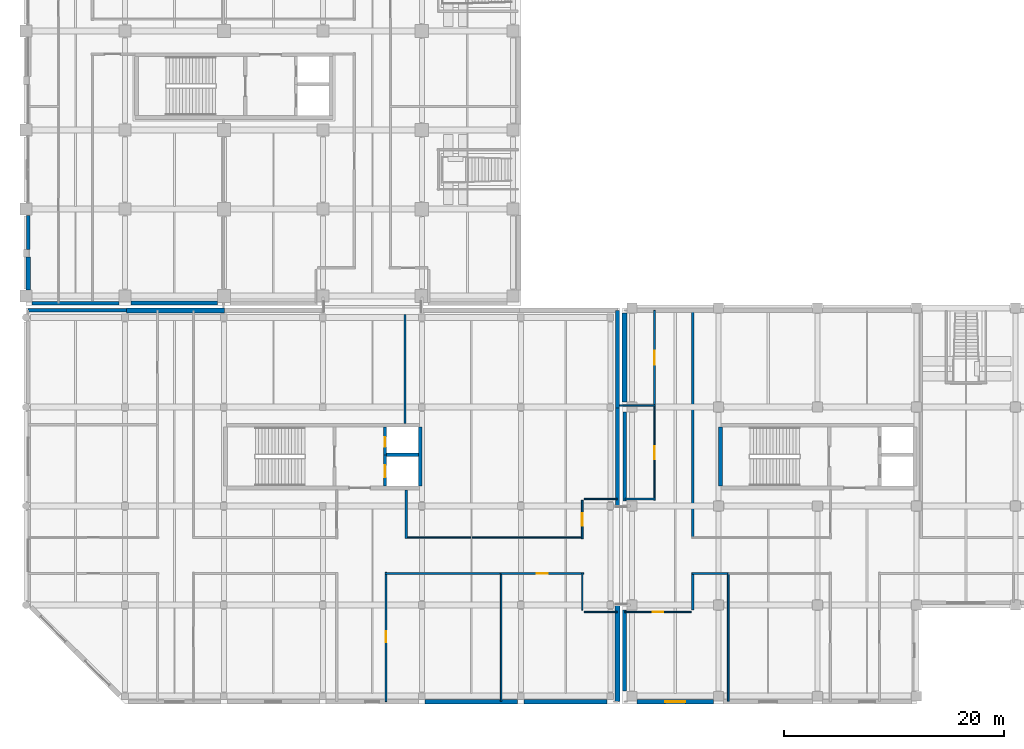
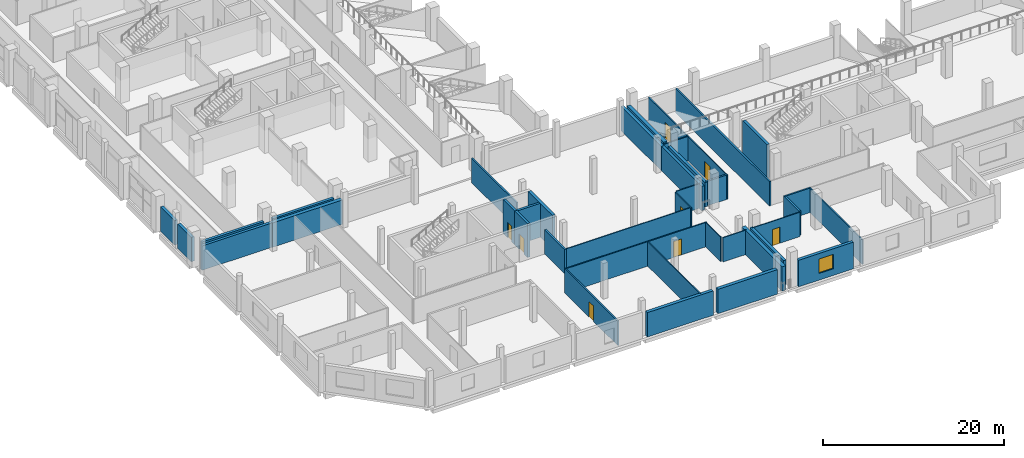
# One storey, part 52 of 100: 40 walls, 8 doors, 1 window, 9 openings.
"""IFC4 building model written with IfcOpenShell, lengths in metres."""

from ifc_helpers import new_model, si_unit, direction, frame, frame_2d, origin, place, context, subcontext, project, spatial, rectangle, extrude, material, layer, layer_set, type_object, element, fill, save


model = new_model("IFC4")

# Units and contexts
model_context = context("Model", 3, precision=1e-05, world=origin(), true_north=direction((0.0, 1.0)))
body_context = subcontext(model_context, "Body", "Model", "MODEL_VIEW")
ifc_project = project(units=[si_unit("LENGTHUNIT", "METRE"), si_unit("AREAUNIT", "SQUARE_METRE"), si_unit("VOLUMEUNIT", "CUBIC_METRE"), si_unit("PLANEANGLEUNIT", "RADIAN"), si_unit("MASSUNIT", "GRAM", prefix="KILO"), si_unit("THERMODYNAMICTEMPERATUREUNIT", "KELVIN"), si_unit("POWERUNIT", "WATT")], contexts=[model_context])

# Site, building, storey
site_placement = place(None, origin())
site = spatial("IfcSite", under=ifc_project, at=site_placement, CompositionType="ELEMENT")
building_placement = place(site_placement, origin())
building = spatial("IfcBuilding", under=site, at=building_placement, Name="Sindhuravela Promenade Stadium", CompositionType="ELEMENT")
storey_placement = place(building_placement, frame((0.0, 0.0, 4.800048828125)))
storey = spatial("IfcBuildingStorey", under=building, at=storey_placement, Name="L01", CompositionType="ELEMENT", Elevation=4.800048828125)

# Walls
ifc_material_1 = material(Name="Terracotta clay brick masonry (15 MPa)", Category="masonry")
ifc_layer_1 = layer(ifc_material_1, 0.340087890625)
ifc_layer_set_1 = layer_set([ifc_layer_1], Name="Terracotta clay brick masonry (15 MPa)")
wall_type_1 = type_object("IfcWallType", Name="EX-WL-BRK340", PredefinedType="SOLIDWALL", material=ifc_layer_set_1)
wall_1_placement = place(storey_placement, frame((8.445068359375, 36.449951171875, 0.0), z_axis=(0.0, 0.0, 1.0), x_axis=(-1.0, 0.0, 0.0)))
element("IfcWall", 1, at=wall_1_placement, inside=storey, type_object=wall_type_1, Name="Exterior masonry wall EW06 WEST L01", PredefinedType="SOLIDWALL", context=body_context, shape_type="SweptSolid", body=[
    extrude(rectangle(XDim=7.89013671875, YDim=0.340087890625, at=frame_2d((3.945068359375, 0.0))), origin(), (0.0, 0.0, 1.0), 3.280029296875),
])
wall_2_placement = place(storey_placement, frame((54.449951171875, 18.455078125, 0.0), z_axis=(0.0, 0.0, 1.0), x_axis=(0.0, 1.0, 0.0)))
element("IfcWall", 2, at=wall_2_placement, inside=storey, type_object=wall_type_1, Name="Exterior masonry wall EW06 SOUTH L01", PredefinedType="SOLIDWALL", context=body_context, shape_type="SweptSolid", body=[
    extrude(rectangle(XDim=8.08984375, YDim=0.340087890625, at=frame_2d((4.044921875, 0.0))), origin(), (0.0, 0.0, 1.0), 3.280029296875),
])
wall_3_placement = place(storey_placement, frame((0.199951171875, 35.800048828125, 0.0), z_axis=(0.0, 0.0, 1.0), x_axis=(1.0, 0.0, 0.0)))
element("IfcWall", 3, at=wall_3_placement, inside=storey, type_object=wall_type_1, Name="Exterior masonry wall EW06 Pavilion SW L01", PredefinedType="SOLIDWALL", context=body_context, shape_type="SweptSolid", body=[
    extrude(rectangle(XDim=8.933349609375, YDim=0.340087890625, at=frame_2d((4.466796875, 0.0))), origin(), (0.0, 0.0, 1.0), 3.280029296875),
])
wall_4_placement = place(storey_placement, frame((53.800048828125, 26.89990234375, 0.0), z_axis=(0.0, 0.0, 1.0), x_axis=(0.0, -1.0, 0.0)))
element("IfcWall", 4, at=wall_4_placement, inside=storey, type_object=wall_type_1, Name="Exterior masonry wall EW06 Pavilion SW L01", PredefinedType="SOLIDWALL", context=body_context, shape_type="SweptSolid", body=[
    extrude(rectangle(XDim=8.89990234375, YDim=0.340087890625, at=frame_2d((4.449951171875, 0.0))), origin(), (0.0, 0.0, 1.0), 3.280029296875),
])
ifc_layer_2 = layer(ifc_material_1, 0.360107421875)
ifc_layer_set_2 = layer_set([ifc_layer_2], Name="Terracotta clay brick masonry (15 MPa)")
wall_type_2 = type_object("IfcWallType", Name="EX-WL-BRK360", PredefinedType="SOLIDWALL", material=ifc_layer_set_2)
wall_5_placement = place(storey_placement, frame((0.199951171875, 41.35498046875, 0.0), z_axis=(0.0, 0.0, 1.0), x_axis=(0.0, 1.0, 0.0)))
element("IfcWall", 5, at=wall_5_placement, inside=storey, type_object=wall_type_2, Name="Exterior masonry wall EW05 WEST L01", PredefinedType="SOLIDWALL", context=body_context, shape_type="SweptSolid", body=[
    extrude(rectangle(XDim=3.090087890625, YDim=0.360107421875, at=frame_2d((1.544921875, 0.0))), origin(), (0.0, 0.0, 1.0), 3.280029296875),
])
wall_6_placement = place(storey_placement, frame((17.39501953125, 36.449951171875, 0.0), z_axis=(0.0, 0.0, 1.0), x_axis=(-1.0, 0.0, 0.0)))
element("IfcWall", 6, at=wall_6_placement, inside=storey, type_object=wall_type_2, Name="Exterior masonry wall EW05 WEST L01", PredefinedType="SOLIDWALL", context=body_context, shape_type="SweptSolid", body=[
    extrude(rectangle(XDim=7.840087890625, YDim=0.360107421875, at=frame_2d((3.919921875, 0.0))), origin(), (0.0, 0.0, 1.0), 3.280029296875),
])
wall_7_placement = place(storey_placement, frame((54.449951171875, 1.155029296875, 0.0), z_axis=(0.0, 0.0, 1.0), x_axis=(0.0, 1.0, 0.0)))
element("IfcWall", 7, at=wall_7_placement, inside=storey, type_object=wall_type_2, Name="Exterior masonry wall EW05 SOUTH L01", PredefinedType="SOLIDWALL", context=body_context, shape_type="SweptSolid", body=[
    extrude(rectangle(XDim=7.389892578125, YDim=0.360107421875, at=frame_2d((3.69482421875, 0.0))), origin(), (0.0, 0.0, 1.0), 3.280029296875),
])
wall_8_placement = place(storey_placement, frame((53.800048828125, 35.800048828125, 0.0), z_axis=(0.0, 0.0, 1.0), x_axis=(0.0, -1.0, 0.0)))
element("IfcWall", 8, at=wall_8_placement, inside=storey, type_object=wall_type_2, Name="Exterior masonry wall EW05 Pavilion SW L01", PredefinedType="SOLIDWALL", context=body_context, shape_type="SweptSolid", body=[
    extrude(rectangle(XDim=8.900146484375, YDim=0.360107421875, at=frame_2d((4.4501953125, 0.0))), origin(), (0.0, 0.0, 1.0), 3.280029296875),
])
ifc_layer_3 = layer(ifc_material_1, 0.3798828125)
ifc_layer_set_3 = layer_set([ifc_layer_3], Name="Terracotta clay brick masonry (15 MPa)")
wall_type_3 = type_object("IfcWallType", Name="EX-WL-BRK380", PredefinedType="SOLIDWALL", material=ifc_layer_set_3)
wall_9_placement = place(storey_placement, frame((0.199951171875, 37.655029296875, 0.0), z_axis=(0.0, 0.0, 1.0), x_axis=(0.0, 1.0, 0.0)))
element("IfcWall", 9, at=wall_9_placement, inside=storey, type_object=wall_type_3, Name="Exterior masonry wall EW04 WEST L01", PredefinedType="SOLIDWALL", context=body_context, shape_type="SweptSolid", body=[
    extrude(rectangle(XDim=2.989990234375, YDim=0.3798828125, at=frame_2d((1.4951171875, 0.0))), origin(), (0.0, 0.0, 1.0), 3.280029296875),
])

# Wall, opening, window
wall_10_placement = place(storey_placement, frame((62.544921875, 0.199951171875, 0.0), z_axis=(0.0, 0.0, 1.0), x_axis=(-1.0, 0.0, 0.0)))
wall_10 = element("IfcWall", 10, at=wall_10_placement, inside=storey, type_object=wall_type_3, Name="Exterior masonry wall EW04 SOUTH L01", PredefinedType="SOLIDWALL", context=body_context, shape_type="SweptSolid", body=[
    extrude(rectangle(XDim=6.989990234375, YDim=0.3798828125, at=frame_2d((3.4951171875, 0.0))), origin(), (0.0, 0.0, 1.0), 3.579833984375),
])
opening_1_placement = place(wall_10_placement, frame((2.570068359375, 0.0, 0.89990234375)))
opening_1 = element("IfcOpeningElement", 11, at=opening_1_placement, cuts=wall_10, Name="Opening W28", PredefinedType="OPENING", context=body_context, shape_type="SweptSolid", body=[
    extrude(rectangle(XDim=1.85009765625, YDim=1.949951171875, at=frame_2d((0.925048828125, 0.97509765625))), frame((0.0, 0.199951171875, 0.0), z_axis=(0.0, -1.0, 0.0), x_axis=(1.0, 0.0, 0.0)), (0.0, 0.0, 1.0), 0.39990234375),
])
ifc_material_2 = material(Name="Tempered laminated low-E glass", Category="glass")
window_type = type_object("IfcWindowType", Name="WN-FAC-1850x1950", PartitioningType="DOUBLE_PANEL_VERTICAL", PredefinedType="WINDOW", material=ifc_material_2)
window_placement = place(opening_1_placement, origin())
window = element("IfcWindow", 12, at=window_placement, inside=storey, type_object=window_type, Name="Window W28 SOUTH L01", OverallHeight=1.949951171875, OverallWidth=1.85009765625, PartitioningType="DOUBLE_PANEL_VERTICAL", PredefinedType="WINDOW", context=body_context, shape_type="SweptSolid", body=[
    extrude(rectangle(XDim=1.85009765625, YDim=1.949951171875, at=frame_2d((0.925048828125, 0.97509765625))), frame((0.0, 0.030029296875, 0.0), z_axis=(0.0, -1.0, 0.0), x_axis=(1.0, 0.0, 0.0)), (0.0, 0.0, 1.0), 0.06005859375),
])
fill(opening_1, window)

# Walls
ifc_layer_4 = layer(ifc_material_1, 0.39990234375)
ifc_layer_set_4 = layer_set([ifc_layer_4], Name="Terracotta clay brick masonry (15 MPa)")
wall_type_4 = type_object("IfcWallType", Name="EX-WL-BRK400", PredefinedType="SOLIDWALL", material=ifc_layer_set_4)
wall_11_placement = place(storey_placement, frame((44.695068359375, 0.199951171875, 0.0), z_axis=(0.0, 0.0, 1.0), x_axis=(-1.0, 0.0, 0.0)))
element("IfcWall", 13, at=wall_11_placement, inside=storey, type_object=wall_type_4, Name="Exterior masonry wall EW03 Pavilion SW L01", PredefinedType="SOLIDWALL", context=body_context, shape_type="SweptSolid", body=[
    extrude(rectangle(XDim=8.39013671875, YDim=0.39990234375, at=frame_2d((4.195068359375, 0.0))), origin(), (0.0, 0.0, 1.0), 3.280029296875),
])
ifc_layer_5 = layer(ifc_material_1, 0.419921875)
ifc_layer_set_5 = layer_set([ifc_layer_5], Name="Terracotta clay brick masonry (15 MPa)")
wall_type_5 = type_object("IfcWallType", Name="EX-WL-BRK420", PredefinedType="SOLIDWALL", material=ifc_layer_set_5)
wall_12_placement = place(storey_placement, frame((52.844970703125, 0.199951171875, 0.0), z_axis=(0.0, 0.0, 1.0), x_axis=(-1.0, 0.0, 0.0)))
element("IfcWall", 14, at=wall_12_placement, inside=storey, type_object=wall_type_5, Name="Exterior masonry wall EW02 Pavilion SW L01", PredefinedType="SOLIDWALL", context=body_context, shape_type="SweptSolid", body=[
    extrude(rectangle(XDim=7.5400390625, YDim=0.419921875, at=frame_2d((3.77001953125, 0.0))), origin(), (0.0, 0.0, 1.0), 3.280029296875),
])
ifc_layer_6 = layer(ifc_material_1, 0.4599609375)
ifc_layer_set_6 = layer_set([ifc_layer_6], Name="Terracotta clay brick masonry (15 MPa)")
wall_type_6 = type_object("IfcWallType", Name="EX-WL-BRK460", PredefinedType="SOLIDWALL", material=ifc_layer_set_6)
wall_13_placement = place(storey_placement, frame((54.449951171875, 27.455078125, 0.0), z_axis=(0.0, 0.0, 1.0), x_axis=(0.0, 1.0, 0.0)))
element("IfcWall", 15, at=wall_13_placement, inside=storey, type_object=wall_type_6, Name="Exterior masonry wall EW01 SOUTH L01", PredefinedType="SOLIDWALL", context=body_context, shape_type="SweptSolid", body=[
    extrude(rectangle(XDim=8.08984375, YDim=0.4599609375, at=frame_2d((4.044921875, 0.0))), origin(), (0.0, 0.0, 1.0), 3.280029296875),
])
wall_14_placement = place(storey_placement, frame((9.13330078125, 35.800048828125, 0.0), z_axis=(0.0, 0.0, 1.0), x_axis=(1.0, 0.0, 0.0)))
element("IfcWall", 16, at=wall_14_placement, inside=storey, type_object=wall_type_6, Name="Exterior masonry wall EW01 Pavilion SW L01", PredefinedType="SOLIDWALL", context=body_context, shape_type="SweptSolid", body=[
    extrude(rectangle(XDim=8.933349609375, YDim=0.4599609375, at=frame_2d((4.466796875, 0.0))), origin(), (0.0, 0.0, 1.0), 3.280029296875),
])
wall_15_placement = place(storey_placement, frame((53.800048828125, 9.10009765625, 0.0), z_axis=(0.0, 0.0, 1.0), x_axis=(0.0, -1.0, 0.0)))
element("IfcWall", 17, at=wall_15_placement, inside=storey, type_object=wall_type_6, Name="Exterior masonry wall EW01 Pavilion SW L01", PredefinedType="SOLIDWALL", context=body_context, shape_type="SweptSolid", body=[
    extrude(rectangle(XDim=8.900146484375, YDim=0.4599609375, at=frame_2d((4.4501953125, 0.0))), origin(), (0.0, 0.0, 1.0), 3.280029296875),
])

# Wall, opening, door
ifc_material_3 = material(Name="Fire-rated gypsum partition board", Category="gypsum")
ifc_layer_7 = layer(ifc_material_3, 0.110107421875)
ifc_layer_set_7 = layer_set([ifc_layer_7], Name="Fire-rated gypsum partition board")
wall_type_7 = type_object("IfcWallType", Name="IN-WL-PAR110", PredefinedType="PARTITIONING", material=ifc_layer_set_7)
wall_16_placement = place(storey_placement, frame((60.52001953125, 8.360107421875, 0.0), z_axis=(0.0, 0.0, 1.0), x_axis=(-1.0, 0.0, 0.0)))
wall_16 = element("IfcWall", 18, at=wall_16_placement, inside=storey, type_object=wall_type_7, Name="Corridor partition IW06 Concourse Food Kiosk South A 3", PredefinedType="PARTITIONING", context=body_context, shape_type="SweptSolid", body=[
    extrude(rectangle(XDim=6.070068359375, YDim=0.110107421875, at=frame_2d((3.03515625, 0.0))), origin(), (0.0, 0.0, 1.0), 3.280029296875),
])
opening_2_placement = place(wall_16_placement, frame((2.56005859375, 0.0, 0.0)))
opening_2 = element("IfcOpeningElement", 19, at=opening_2_placement, cuts=wall_16, Name="Opening ID10", PredefinedType="OPENING", context=body_context, shape_type="SweptSolid", body=[
    extrude(rectangle(XDim=0.949951171875, YDim=2.179931640625, at=frame_2d((0.47509765625, 1.08984375))), frame((0.0, 0.06494140625, 0.0), z_axis=(0.0, -1.0, 0.0), x_axis=(1.0, 0.0, 0.0)), (0.0, 0.0, 1.0), 0.130126953125),
])
ifc_material_4 = material(Name="Architectural teak timber leaf", Category="wood")
door_type_1 = type_object("IfcDoorType", Name="DR-INT-950x2180", OperationType="NOTDEFINED", PredefinedType="DOOR", material=ifc_material_4)
door_1_placement = place(opening_2_placement, origin())
door_1 = element("IfcDoor", 20, at=door_1_placement, inside=storey, type_object=door_type_1, Name="Concourse Food Kiosk South A 3 door", OperationType="SINGLE_SWING_LEFT", OverallHeight=2.179931640625, OverallWidth=0.949951171875, PredefinedType="DOOR", context=body_context, shape_type="SweptSolid", body=[
    extrude(rectangle(XDim=0.949951171875, YDim=2.179931640625, at=frame_2d((0.47509765625, 1.08984375))), frame((0.0, 0.02490234375, 0.0), z_axis=(0.0, -1.0, 0.0), x_axis=(1.0, 0.0, 0.0)), (0.0, 0.0, 1.0), 0.050048828125),
])
fill(opening_2, door_1)

wall_17_placement = place(storey_placement, frame((57.159912109375, 18.52001953125, 0.0), z_axis=(0.0, 0.0, 1.0), x_axis=(0.0, 1.0, 0.0)))
wall_17 = element("IfcWall", 21, at=wall_17_placement, inside=storey, type_object=wall_type_7, Name="Corridor partition IW06 Public Toilet Block South L01 8", PredefinedType="PARTITIONING", context=body_context, shape_type="SweptSolid", body=[
    extrude(rectangle(XDim=8.639892578125, YDim=0.110107421875, at=frame_2d((4.31982421875, 0.0))), origin(), (0.0, 0.0, 1.0), 3.280029296875),
])
opening_3_placement = place(wall_17_placement, frame((3.7451171875, 0.0, 0.0)))
opening_3 = element("IfcOpeningElement", 22, at=opening_3_placement, cuts=wall_17, Name="Opening ID05", PredefinedType="OPENING", context=body_context, shape_type="SweptSolid", body=[
    extrude(rectangle(XDim=1.14990234375, YDim=2.14990234375, at=frame_2d((0.574951171875, 1.074951171875))), frame((0.0, 0.06494140625, 0.0), z_axis=(0.0, -1.0, 0.0), x_axis=(1.0, 0.0, 0.0)), (0.0, 0.0, 1.0), 0.130126953125),
])
door_type_2 = type_object("IfcDoorType", Name="DR-INT-1150x2150", OperationType="NOTDEFINED", PredefinedType="DOOR", material=ifc_material_4)
door_2_placement = place(opening_3_placement, origin())
door_2 = element("IfcDoor", 23, at=door_2_placement, inside=storey, type_object=door_type_2, Name="Public Toilet Block South L01 8 door", OperationType="SINGLE_SWING_RIGHT", OverallHeight=2.14990234375, OverallWidth=1.14990234375, PredefinedType="DOOR", context=body_context, shape_type="SweptSolid", body=[
    extrude(rectangle(XDim=1.14990234375, YDim=2.14990234375, at=frame_2d((0.574951171875, 1.074951171875))), frame((0.0, 0.02490234375, 0.0), z_axis=(0.0, -1.0, 0.0), x_axis=(1.0, 0.0, 0.0)), (0.0, 0.0, 1.0), 0.050048828125),
])
fill(opening_3, door_2)

# Walls
wall_18_placement = place(storey_placement, frame((50.669921875, 15.139892578125, 0.0), z_axis=(0.0, 0.0, 1.0), x_axis=(-1.0, 0.0, 0.0)))
element("IfcWall", 24, at=wall_18_placement, inside=storey, type_object=wall_type_7, Name="Interior partition IW06 Pavilion SW L01", PredefinedType="PARTITIONING", context=body_context, shape_type="SweptSolid", body=[
    extrude(rectangle(XDim=16.169921875, YDim=0.110107421875, at=frame_2d((8.0849609375, 0.0))), origin(), (0.0, 0.0, 1.0), 3.280029296875),
])
wall_19_placement = place(storey_placement, frame((50.75, 8.360107421875, 0.0), z_axis=(0.0, 0.0, 1.0), x_axis=(1.0, 0.0, 0.0)))
element("IfcWall", 25, at=wall_19_placement, inside=storey, type_object=wall_type_7, Name="Interior partition IW06 Pavilion SW L01", PredefinedType="PARTITIONING", context=body_context, shape_type="SweptSolid", body=[
    extrude(rectangle(XDim=3.010009765625, YDim=0.110107421875, at=frame_2d((1.5048828125, 0.0))), origin(), (0.0, 0.0, 1.0), 3.280029296875),
])
ifc_layer_8 = layer(ifc_material_3, 0.1298828125)
ifc_layer_set_8 = layer_set([ifc_layer_8], Name="Fire-rated gypsum partition board")
wall_type_8 = type_object("IfcWallType", Name="IN-WL-PAR130", PredefinedType="PARTITIONING", material=ifc_layer_set_8)
wall_20_placement = place(storey_placement, frame((57.239990234375, 27.159912109375, 0.0), z_axis=(0.0, 0.0, 1.0), x_axis=(-1.0, 0.0, 0.0)))
element("IfcWall", 26, at=wall_20_placement, inside=storey, type_object=wall_type_8, Name="Interior partition IW05 SOUTH L01", PredefinedType="PARTITIONING", context=body_context, shape_type="SweptSolid", body=[
    extrude(rectangle(XDim=3.257080078125, YDim=0.1298828125, at=frame_2d((1.62841796875, 0.0))), origin(), (0.0, 0.0, 1.0), 3.280029296875),
])
wall_21_placement = place(storey_placement, frame((53.760009765625, 18.639892578125, 0.0), z_axis=(0.0, 0.0, 1.0), x_axis=(-1.0, 0.0, 0.0)))
element("IfcWall", 27, at=wall_21_placement, inside=storey, type_object=wall_type_8, Name="Interior partition IW05 Pavilion SW L01", PredefinedType="PARTITIONING", context=body_context, shape_type="SweptSolid", body=[
    extrude(rectangle(XDim=3.010009765625, YDim=0.1298828125, at=frame_2d((1.5048828125, 0.0))), origin(), (0.0, 0.0, 1.0), 3.280029296875),
])
wall_22_placement = place(storey_placement, frame((43.2099609375, 11.93994140625, 0.0), z_axis=(0.0, 0.0, 1.0), x_axis=(0.0, -1.0, 0.0)))
element("IfcWall", 28, at=wall_22_placement, inside=storey, type_object=wall_type_8, Name="Interior partition IW05 Pavilion SW L01", PredefinedType="PARTITIONING", context=body_context, shape_type="SweptSolid", body=[
    extrude(rectangle(XDim=11.699951171875, YDim=0.1298828125, at=frame_2d((5.85009765625, 0.0))), origin(), (0.0, 0.0, 1.0), 3.280029296875),
])
wall_23_placement = place(storey_placement, frame((50.590087890625, 11.93994140625, 0.0), z_axis=(0.0, 0.0, 1.0), x_axis=(0.0, -1.0, 0.0)))
element("IfcWall", 29, at=wall_23_placement, inside=storey, type_object=wall_type_8, Name="Interior partition IW05 Pavilion SW L01", PredefinedType="PARTITIONING", context=body_context, shape_type="SweptSolid", body=[
    extrude(rectangle(XDim=3.419921875, YDim=0.1298828125, at=frame_2d((1.7099609375, 0.0))), origin(), (0.0, 0.0, 1.0), 3.280029296875),
])
ifc_layer_9 = layer(ifc_material_3, 0.14990234375)
ifc_layer_set_9 = layer_set([ifc_layer_9], Name="Fire-rated gypsum partition board")
wall_type_9 = type_object("IfcWallType", Name="IN-WL-PAR150", PredefinedType="PARTITIONING", material=ifc_layer_set_9)
wall_24_placement = place(storey_placement, frame((63.864990234375, 0.239990234375, 0.0), z_axis=(0.0, 0.0, 1.0), x_axis=(0.0, 1.0, 0.0)))
element("IfcWall", 30, at=wall_24_placement, inside=storey, type_object=wall_type_9, Name="Interior partition IW04 SOUTH L01", PredefinedType="PARTITIONING", context=body_context, shape_type="SweptSolid", body=[
    extrude(rectangle(XDim=11.699951171875, YDim=0.14990234375, at=frame_2d((5.85009765625, 0.0))), origin(), (0.0, 0.0, 1.0), 3.280029296875),
])

# Wall, opening, door
wall_25_placement = place(storey_placement, frame((57.159912109375, 27.159912109375, 0.0), z_axis=(0.0, 0.0, 1.0), x_axis=(0.0, 1.0, 0.0)))
wall_25 = element("IfcWall", 31, at=wall_25_placement, inside=storey, type_object=wall_type_9, Name="Corridor partition IW04 Accessible WC South L01 7", PredefinedType="PARTITIONING", context=body_context, shape_type="SweptSolid", body=[
    extrude(rectangle(XDim=8.64013671875, YDim=0.14990234375, at=frame_2d((4.320068359375, 0.0))), origin(), (0.0, 0.0, 1.0), 3.280029296875),
])
opening_4_placement = place(wall_25_placement, frame((3.695068359375, 0.0, 0.0)))
opening_4 = element("IfcOpeningElement", 32, at=opening_4_placement, cuts=wall_25, Name="Opening ID04", PredefinedType="OPENING", context=body_context, shape_type="SweptSolid", body=[
    extrude(rectangle(XDim=1.25, YDim=2.14990234375, at=frame_2d((0.625, 1.074951171875))), frame((0.0, 0.0849609375, 0.0), z_axis=(0.0, -1.0, 0.0), x_axis=(1.0, 0.0, 0.0)), (0.0, 0.0, 1.0), 0.169921875),
])
door_type_3 = type_object("IfcDoorType", Name="DR-INT-1250x2150", OperationType="NOTDEFINED", PredefinedType="DOOR", material=ifc_material_4)
door_3_placement = place(opening_4_placement, origin())
door_3 = element("IfcDoor", 33, at=door_3_placement, inside=storey, type_object=door_type_3, Name="Accessible WC South L01 7 door", OperationType="SINGLE_SWING_LEFT", OverallHeight=2.14990234375, OverallWidth=1.25, PredefinedType="DOOR", context=body_context, shape_type="SweptSolid", body=[
    extrude(rectangle(XDim=1.25, YDim=2.14990234375, at=frame_2d((0.625, 1.074951171875))), frame((0.0, 0.02490234375, 0.0), z_axis=(0.0, -1.0, 0.0), x_axis=(1.0, 0.0, 0.0)), (0.0, 0.0, 1.0), 0.050048828125),
])
fill(opening_4, door_3)

wall_26_placement = place(storey_placement, frame((50.590087890625, 15.02001953125, 0.0), z_axis=(0.0, 0.0, 1.0), x_axis=(0.0, 1.0, 0.0)))
wall_26 = element("IfcWall", 34, at=wall_26_placement, inside=storey, type_object=wall_type_9, Name="Corridor partition IW04 Gate Concourse Foyer SW L01", PredefinedType="PARTITIONING", context=body_context, shape_type="SweptSolid", body=[
    extrude(rectangle(XDim=3.5, YDim=0.14990234375, at=frame_2d((1.75, 0.0))), origin(), (0.0, 0.0, 1.0), 3.280029296875),
])
opening_5_placement = place(wall_26_placement, frame((1.175048828125, 0.0, 0.0)))
opening_5 = element("IfcOpeningElement", 35, at=opening_5_placement, cuts=wall_26, Name="Opening ID05", PredefinedType="OPENING", context=body_context, shape_type="SweptSolid", body=[
    extrude(rectangle(XDim=1.14990234375, YDim=2.14990234375, at=frame_2d((0.574951171875, 1.074951171875))), frame((0.0, 0.0849609375, 0.0), z_axis=(0.0, -1.0, 0.0), x_axis=(1.0, 0.0, 0.0)), (0.0, 0.0, 1.0), 0.169921875),
])
door_4_placement = place(opening_5_placement, origin())
door_4 = element("IfcDoor", 36, at=door_4_placement, inside=storey, type_object=door_type_2, Name="Gate Concourse Foyer SW L01 door", OperationType="SINGLE_SWING_LEFT", OverallHeight=2.14990234375, OverallWidth=1.14990234375, PredefinedType="DOOR", context=body_context, shape_type="SweptSolid", body=[
    extrude(rectangle(XDim=1.14990234375, YDim=2.14990234375, at=frame_2d((0.574951171875, 1.074951171875))), frame((0.0, 0.02490234375, 0.0), z_axis=(0.0, -1.0, 0.0), x_axis=(1.0, 0.0, 0.0)), (0.0, 0.0, 1.0), 0.050048828125),
])
fill(opening_5, door_4)

# Wall
wall_27_placement = place(storey_placement, frame((32.659912109375, 11.860107421875, 0.0), z_axis=(0.0, 0.0, 1.0), x_axis=(1.0, 0.0, 0.0)))
element("IfcWall", 37, at=wall_27_placement, inside=storey, type_object=wall_type_9, Name="Interior partition IW04 Pavilion SW L01", PredefinedType="PARTITIONING", context=body_context, shape_type="SweptSolid", body=[
    extrude(rectangle(XDim=10.510009765625, YDim=0.14990234375, at=frame_2d((5.2548828125, 0.0))), origin(), (0.0, 0.0, 1.0), 3.280029296875),
])

# Wall, opening, door
wall_28_placement = place(storey_placement, frame((50.7099609375, 11.860107421875, 0.0), z_axis=(0.0, 0.0, 1.0), x_axis=(-1.0, 0.0, 0.0)))
wall_28 = element("IfcWall", 38, at=wall_28_placement, inside=storey, type_object=wall_type_9, Name="Corridor partition IW04 Refreshment Counter SW L01 4", PredefinedType="PARTITIONING", context=body_context, shape_type="SweptSolid", body=[
    extrude(rectangle(XDim=7.5, YDim=0.14990234375, at=frame_2d((3.75, 0.0))), origin(), (0.0, 0.0, 1.0), 3.280029296875),
])
opening_6_placement = place(wall_28_placement, frame((3.239990234375, 0.0, 0.0)))
opening_6 = element("IfcOpeningElement", 39, at=opening_6_placement, cuts=wall_28, Name="Opening ID11", PredefinedType="OPENING", context=body_context, shape_type="SweptSolid", body=[
    extrude(rectangle(XDim=1.02001953125, YDim=2.159912109375, at=frame_2d((0.510009765625, 1.080078125))), frame((0.0, 0.0849609375, 0.0), z_axis=(0.0, -1.0, 0.0), x_axis=(1.0, 0.0, 0.0)), (0.0, 0.0, 1.0), 0.169921875),
])
door_type_4 = type_object("IfcDoorType", Name="DR-INT-1020x2160", OperationType="NOTDEFINED", PredefinedType="DOOR", material=ifc_material_4)
door_5_placement = place(opening_6_placement, origin())
door_5 = element("IfcDoor", 40, at=door_5_placement, inside=storey, type_object=door_type_4, Name="Refreshment Counter SW L01 4 door", OperationType="SINGLE_SWING_LEFT", OverallHeight=2.159912109375, OverallWidth=1.02001953125, PredefinedType="DOOR", context=body_context, shape_type="SweptSolid", body=[
    extrude(rectangle(XDim=1.02001953125, YDim=2.159912109375, at=frame_2d((0.510009765625, 1.080078125))), frame((0.0, 0.02490234375, 0.0), z_axis=(0.0, -1.0, 0.0), x_axis=(1.0, 0.0, 0.0)), (0.0, 0.0, 1.0), 0.050048828125),
])
fill(opening_6, door_5)

ifc_layer_10 = layer(ifc_material_3, 0.175048828125)
ifc_layer_set_10 = layer_set([ifc_layer_10], Name="Fire-rated gypsum partition board")
wall_type_10 = type_object("IfcWallType", Name="IN-WL-PAR175", PredefinedType="PARTITIONING", material=ifc_layer_set_10)
wall_29_placement = place(storey_placement, frame((32.739990234375, 11.97998046875, 0.0), z_axis=(0.0, 0.0, 1.0), x_axis=(0.0, -1.0, 0.0)))
wall_29 = element("IfcWall", 41, at=wall_29_placement, inside=storey, type_object=wall_type_10, Name="Corridor partition IW03 Accessible WC SW L01", PredefinedType="PARTITIONING", context=body_context, shape_type="SweptSolid", body=[
    extrude(rectangle(XDim=11.780029296875, YDim=0.175048828125, at=frame_2d((5.89013671875, 0.0))), origin(), (0.0, 0.0, 1.0), 3.280029296875),
])
opening_7_placement = place(wall_29_placement, frame((5.389892578125, 0.0, 0.0)))
opening_7 = element("IfcOpeningElement", 42, at=opening_7_placement, cuts=wall_29, Name="Opening ID08", PredefinedType="OPENING", context=body_context, shape_type="SweptSolid", body=[
    extrude(rectangle(XDim=1.0, YDim=2.10009765625, at=frame_2d((0.5, 1.050048828125))), frame((0.0, 0.097412109375, 0.0), z_axis=(0.0, -1.0, 0.0), x_axis=(1.0, 0.0, 0.0)), (0.0, 0.0, 1.0), 0.195068359375),
])
door_type_5 = type_object("IfcDoorType", Name="DR-INT-1000x2100", OperationType="NOTDEFINED", PredefinedType="DOOR", material=ifc_material_4)
door_6_placement = place(opening_7_placement, origin())
door_6 = element("IfcDoor", 43, at=door_6_placement, inside=storey, type_object=door_type_5, Name="Accessible WC SW L01 door", OperationType="SINGLE_SWING_RIGHT", OverallHeight=2.10009765625, OverallWidth=1.0, PredefinedType="DOOR", context=body_context, shape_type="SweptSolid", body=[
    extrude(rectangle(XDim=1.0, YDim=2.10009765625, at=frame_2d((0.5, 1.050048828125))), frame((0.0, 0.02490234375, 0.0), z_axis=(0.0, -1.0, 0.0), x_axis=(1.0, 0.0, 0.0)), (0.0, 0.0, 1.0), 0.050048828125),
])
fill(opening_7, door_6)

# Walls
ifc_layer_11 = layer(ifc_material_3, 0.195068359375)
ifc_layer_set_11 = layer_set([ifc_layer_11], Name="Fire-rated gypsum partition board")
wall_type_11 = type_object("IfcWallType", Name="IN-WL-PAR195", PredefinedType="PARTITIONING", material=ifc_layer_set_11)
wall_30_placement = place(storey_placement, frame((60.56005859375, 11.860107421875, 0.0), z_axis=(0.0, 0.0, 1.0), x_axis=(1.0, 0.0, 0.0)))
element("IfcWall", 44, at=wall_30_placement, inside=storey, type_object=wall_type_11, Name="Interior partition IW02 SOUTH L01", PredefinedType="PARTITIONING", context=body_context, shape_type="SweptSolid", body=[
    extrude(rectangle(XDim=3.264892578125, YDim=0.195068359375, at=frame_2d((1.63232421875, 0.0))), origin(), (0.0, 0.0, 1.0), 3.280029296875),
])
wall_31_placement = place(storey_placement, frame((34.4599609375, 25.527099609375, 0.0), z_axis=(0.0, 0.0, 1.0), x_axis=(0.0, 1.0, 0.0)))
element("IfcWall", 45, at=wall_31_placement, inside=storey, type_object=wall_type_11, Name="Interior partition IW02 Pavilion SW L01", PredefinedType="PARTITIONING", context=body_context, shape_type="SweptSolid", body=[
    extrude(rectangle(XDim=9.90283203125, YDim=0.195068359375, at=frame_2d((4.951416015625, 0.0))), origin(), (0.0, 0.0, 1.0), 3.280029296875),
])
ifc_layer_12 = layer(ifc_material_3, 0.219970703125)
ifc_layer_set_12 = layer_set([ifc_layer_12], Name="Fire-rated gypsum partition board")
wall_type_12 = type_object("IfcWallType", Name="IN-WL-PAR220", PredefinedType="PARTITIONING", material=ifc_layer_set_12)
wall_32_placement = place(storey_placement, frame((60.639892578125, 15.06005859375, 0.0), z_axis=(0.0, 0.0, 1.0), x_axis=(0.0, 1.0, 0.0)))
element("IfcWall", 46, at=wall_32_placement, inside=storey, type_object=wall_type_12, Name="Interior partition IW01 SOUTH L01", PredefinedType="PARTITIONING", context=body_context, shape_type="SweptSolid", body=[
    extrude(rectangle(XDim=20.699951171875, YDim=0.219970703125, at=frame_2d((10.35009765625, 0.0))), origin(), (0.0, 0.0, 1.0), 3.280029296875),
])
wall_33_placement = place(storey_placement, frame((60.639892578125, 8.52001953125, 0.0), z_axis=(0.0, 0.0, 1.0), x_axis=(0.0, 1.0, 0.0)))
element("IfcWall", 47, at=wall_33_placement, inside=storey, type_object=wall_type_12, Name="Interior partition IW01 SOUTH L01", PredefinedType="PARTITIONING", context=body_context, shape_type="SweptSolid", body=[
    extrude(rectangle(XDim=3.419921875, YDim=0.219970703125, at=frame_2d((1.7099609375, 0.0))), origin(), (0.0, 0.0, 1.0), 3.280029296875),
])
wall_34_placement = place(storey_placement, frame((57.239990234375, 18.639892578125, 0.0), z_axis=(0.0, 0.0, 1.0), x_axis=(-1.0, 0.0, 0.0)))
element("IfcWall", 48, at=wall_34_placement, inside=storey, type_object=wall_type_12, Name="Interior partition IW01 SOUTH L01", PredefinedType="PARTITIONING", context=body_context, shape_type="SweptSolid", body=[
    extrude(rectangle(XDim=2.75, YDim=0.219970703125, at=frame_2d((1.375, 0.0))), origin(), (0.0, 0.0, 1.0), 3.280029296875),
])
wall_35_placement = place(storey_placement, frame((34.580078125, 15.06005859375, 0.0), z_axis=(0.0, 0.0, 1.0), x_axis=(0.0, 1.0, 0.0)))
element("IfcWall", 49, at=wall_35_placement, inside=storey, type_object=wall_type_12, Name="Interior partition IW01 Pavilion SW L01", PredefinedType="PARTITIONING", context=body_context, shape_type="SweptSolid", body=[
    extrude(rectangle(XDim=4.412841796875, YDim=0.219970703125, at=frame_2d((2.20654296875, 0.0))), origin(), (0.0, 0.0, 1.0), 3.280029296875),
])

# Wall, opening, door
ifc_material_5 = material(Name="Concrete M50", Category="concrete")
ifc_layer_13 = layer(ifc_material_5, 0.300048828125)
ifc_layer_set_13 = layer_set([ifc_layer_13], Name="Concrete M50")
wall_type_13 = type_object("IfcWallType", Name="RC-SW-300", PredefinedType="SHEAR", material=ifc_layer_set_13)
wall_36_placement = place(storey_placement, frame((32.64990234375, 19.824951171875, 0.0), z_axis=(0.0, 0.0, 1.0), x_axis=(0.0, 1.0, 0.0)))
wall_36 = element("IfcWall", 50, at=wall_36_placement, inside=storey, type_object=wall_type_13, Name="Core shear wall C13-LFT (L01)", PredefinedType="SHEAR", context=body_context, shape_type="SweptSolid", body=[
    extrude(rectangle(XDim=2.824951171875, YDim=0.300048828125, at=frame_2d((1.41259765625, 0.0))), origin(), (0.0, 0.0, 1.0), 4.56494140625),
])
opening_8_placement = place(wall_36_placement, frame((0.77490234375, 0.0, 0.0)))
opening_8 = element("IfcOpeningElement", 51, at=opening_8_placement, cuts=wall_36, Name="Opening LD", PredefinedType="OPENING", context=body_context, shape_type="SweptSolid", body=[
    extrude(rectangle(XDim=1.10009765625, YDim=2.10009765625, at=frame_2d((0.550048828125, 1.050048828125))), frame((0.0, 0.159912109375, 0.0), z_axis=(0.0, -1.0, 0.0), x_axis=(1.0, 0.0, 0.0)), (0.0, 0.0, 1.0), 0.320068359375),
])
ifc_material_6 = material(Name="Architectural wrought steel E350", Category="steel")
door_type_6 = type_object("IfcDoorType", Name="DR-LFT-1100x2100", OperationType="DOUBLE_DOOR_SLIDING", PredefinedType="DOOR", material=ifc_material_6)
door_7_placement = place(opening_8_placement, origin())
door_7 = element("IfcDoor", 52, at=door_7_placement, inside=storey, type_object=door_type_6, Name="Lift PL05 landing door (L01)", OperationType="DOUBLE_DOOR_SLIDING", OverallHeight=2.10009765625, OverallWidth=1.10009765625, PredefinedType="DOOR", context=body_context, shape_type="SweptSolid", body=[
    extrude(rectangle(XDim=1.10009765625, YDim=2.10009765625, at=frame_2d((0.550048828125, 1.050048828125))), frame((0.0, 0.02490234375, 0.0), z_axis=(0.0, -1.0, 0.0), x_axis=(1.0, 0.0, 0.0)), (0.0, 0.0, 1.0), 0.050048828125),
])
fill(opening_8, door_7)

wall_37_placement = place(storey_placement, frame((32.64990234375, 22.64990234375, 0.0), z_axis=(0.0, 0.0, 1.0), x_axis=(0.0, 1.0, 0.0)))
wall_37 = element("IfcWall", 53, at=wall_37_placement, inside=storey, type_object=wall_type_13, Name="Core shear wall C13-RSR (L01)", PredefinedType="SHEAR", context=body_context, shape_type="SweptSolid", body=[
    extrude(rectangle(XDim=2.525146484375, YDim=0.300048828125, at=frame_2d((1.2626953125, 0.0))), origin(), (0.0, 0.0, 1.0), 4.56494140625),
])
opening_9_placement = place(wall_37_placement, frame((0.72509765625, 0.0, 0.0)))
opening_9 = element("IfcOpeningElement", 54, at=opening_9_placement, cuts=wall_37, Name="Opening FD03", PredefinedType="OPENING", context=body_context, shape_type="SweptSolid", body=[
    extrude(rectangle(XDim=0.89990234375, YDim=2.10009765625, at=frame_2d((0.449951171875, 1.050048828125))), frame((0.0, 0.159912109375, 0.0), z_axis=(0.0, -1.0, 0.0), x_axis=(1.0, 0.0, 0.0)), (0.0, 0.0, 1.0), 0.320068359375),
])
door_type_7 = type_object("IfcDoorType", Name="DR-RSR-900x2100", OperationType="NOTDEFINED", PredefinedType="DOOR", material=ifc_material_6)
door_8_placement = place(opening_9_placement, origin())
door_8 = element("IfcDoor", 55, at=door_8_placement, inside=storey, type_object=door_type_7, Name="Riser shaft access door C13 (L01)", OperationType="SINGLE_SWING_RIGHT", OverallHeight=2.10009765625, OverallWidth=0.89990234375, PredefinedType="DOOR", context=body_context, shape_type="SweptSolid", body=[
    extrude(rectangle(XDim=0.89990234375, YDim=2.10009765625, at=frame_2d((0.449951171875, 1.050048828125))), frame((0.0, 0.02490234375, 0.0), z_axis=(0.0, -1.0, 0.0), x_axis=(1.0, 0.0, 0.0)), (0.0, 0.0, 1.0), 0.050048828125),
])
fill(opening_9, door_8)

# Walls
wall_38_placement = place(storey_placement, frame((32.800048828125, 22.64990234375, 0.0), z_axis=(0.0, 0.0, 1.0), x_axis=(1.0, 0.0, 0.0)))
element("IfcWall", 56, at=wall_38_placement, inside=storey, type_object=wall_type_13, Name="Core shear wall C13-DIV (L01)", PredefinedType="SHEAR", context=body_context, shape_type="SweptSolid", body=[
    extrude(rectangle(XDim=2.875, YDim=0.300048828125, at=frame_2d((1.4375, 0.0))), origin(), (0.0, 0.0, 1.0), 4.56494140625),
])
ifc_layer_14 = layer(ifc_material_5, 0.35009765625)
ifc_layer_set_14 = layer_set([ifc_layer_14], Name="Concrete M50")
wall_type_14 = type_object("IfcWallType", Name="RC-SW-350", PredefinedType="SHEAR", material=ifc_layer_set_14)
wall_39_placement = place(storey_placement, frame((63.14990234375, 25.175048828125, 0.0), z_axis=(0.0, 0.0, 1.0), x_axis=(0.0, -1.0, 0.0)))
element("IfcWall", 57, at=wall_39_placement, inside=storey, type_object=wall_type_14, Name="Core shear wall C11-W (L01)", PredefinedType="SHEAR", context=body_context, shape_type="SweptSolid", body=[
    extrude(rectangle(XDim=5.35009765625, YDim=0.35009765625, at=frame_2d((2.675048828125, 0.0))), origin(), (0.0, 0.0, 1.0), 4.52001953125),
])
wall_40_placement = place(storey_placement, frame((35.85009765625, 19.824951171875, 0.0), z_axis=(0.0, 0.0, 1.0), x_axis=(0.0, 1.0, 0.0)))
element("IfcWall", 58, at=wall_40_placement, inside=storey, type_object=wall_type_14, Name="Core shear wall C13-E (L01)", PredefinedType="SHEAR", context=body_context, shape_type="SweptSolid", body=[
    extrude(rectangle(XDim=5.35009765625, YDim=0.35009765625, at=frame_2d((2.675048828125, 0.0))), origin(), (0.0, 0.0, 1.0), 4.56494140625),
])

save(model, "model.ifc")
